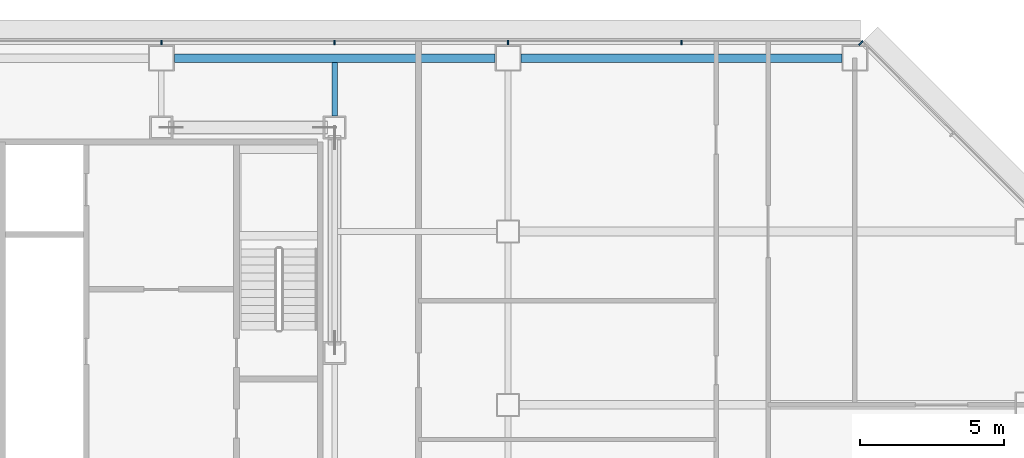
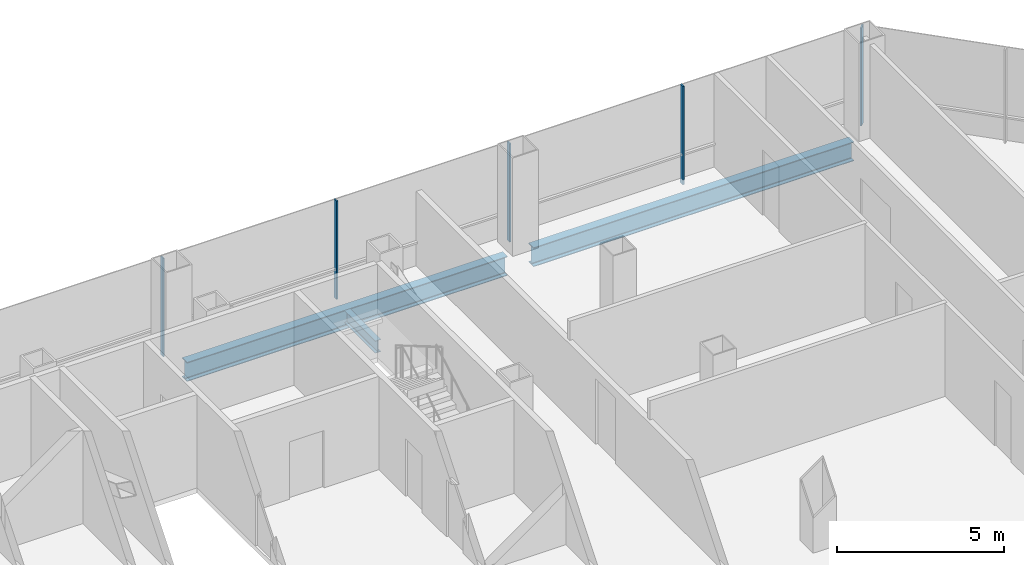
# One storey, part 15 of 27: 5 members, 3 beams, 2 elements without a shape of their own.
"""IFC4 building model written with IfcOpenShell, lengths in metres."""

from ifc_helpers import new_model, si_unit, direction, frame, origin, origin_2d, place, context, subcontext, project, spatial, rectangle, i_section, extrude, material, material_profile, profile_set, type_object, element, aggregate, save


model = new_model("IFC4")

# Units and contexts
model_context = context("Model", 3, precision=1e-05, world=origin(), true_north=direction((0.0, 1.0)))
body_context = subcontext(model_context, "Body", "Model", "MODEL_VIEW")
ifc_project = project(units=[si_unit("LENGTHUNIT", "METRE"), si_unit("AREAUNIT", "SQUARE_METRE"), si_unit("VOLUMEUNIT", "CUBIC_METRE"), si_unit("PLANEANGLEUNIT", "RADIAN"), si_unit("MASSUNIT", "GRAM", prefix="KILO")], contexts=[model_context])

# Site, building, storey
site_placement = place(None, origin())
site = spatial("IfcSite", under=ifc_project, at=site_placement, CompositionType="ELEMENT")
building_placement = place(site_placement, origin())
building = spatial("IfcBuilding", under=site, at=building_placement, Name="Sorahane Residences", CompositionType="ELEMENT")
storey_placement = place(building_placement, frame((0.0, 0.0, 53.39990234375)))
storey = spatial("IfcBuildingStorey", under=building, at=storey_placement, Name="L09", CompositionType="ELEMENT", Elevation=53.39990234375)

# Curtain wall, members
ifc_material_1 = material(Name="Dark low-e glass and black anodised aluminium", Category="aluminium")
curtain_wall_type_1 = type_object("IfcCurtainWallType", Name="Curtain wall CW-1 Typical unitised wall", PredefinedType="NOTDEFINED", material=ifc_material_1)
curtain_wall_1_placement = place(storey_placement, origin())
curtain_wall_1 = element("IfcCurtainWall", 1, at=curtain_wall_1_placement, inside=storey, type_object=curtain_wall_type_1, Name="CW-1 curtain wall L09 N1", PredefinedType="NOTDEFINED")
ifc_material_2 = material(Name="Black anodised aluminium", Category="aluminium")
ifc_material_profile_1 = material_profile(ifc_material_2, rectangle(XDim=0.159912109375, YDim=0.050048828125, at=origin_2d()), Name="Curtain wall mullion CW-1 black anodised aluminium 50x160")
ifc_profile_set_1 = profile_set([ifc_material_profile_1], Name="Black anodised aluminium")
member_type_1 = type_object("IfcMemberType", Name="Curtain wall mullion CW-1 black anodised aluminium 50x160", PredefinedType="MULLION", material=ifc_profile_set_1)
member_1_placement = place(storey_placement, frame((54.0, 48.5400390625, -0.179931640625), z_axis=(0.0, 0.0, 1.0), x_axis=(0.0, 1.0, 0.0)))
member_1 = element("IfcMember", 2, at=member_1_placement, type_object=member_type_1, Name="CW-1 mullion L09 N1.2", PredefinedType="MULLION", context=body_context, shape_type="SweptSolid", body=[
    extrude(rectangle(XDim=0.159912109375, YDim=0.050048828125, at=origin_2d()), origin(), (0.0, 0.0, 1.0), 3.60009765625),
])
member_2_placement = place(storey_placement, frame((48.0, 48.5400390625, -0.179931640625), z_axis=(0.0, 0.0, 1.0), x_axis=(0.0, 1.0, 0.0)))
member_2 = element("IfcMember", 3, at=member_2_placement, type_object=member_type_1, Name="CW-1 mullion L09 N1.3", PredefinedType="MULLION", context=body_context, shape_type="SweptSolid", body=[
    extrude(rectangle(XDim=0.159912109375, YDim=0.050048828125, at=origin_2d()), origin(), (0.0, 0.0, 1.0), 3.60009765625),
])
member_3_placement = place(storey_placement, frame((42.0, 48.5400390625, -0.179931640625), z_axis=(0.0, 0.0, 1.0), x_axis=(0.0, 1.0, 0.0)))
member_3 = element("IfcMember", 4, at=member_3_placement, type_object=member_type_1, Name="CW-1 mullion L09 N1.4", PredefinedType="MULLION", context=body_context, shape_type="SweptSolid", body=[
    extrude(rectangle(XDim=0.159912109375, YDim=0.050048828125, at=origin_2d()), origin(), (0.0, 0.0, 1.0), 3.60009765625),
])
member_4_placement = place(storey_placement, frame((36.0, 48.5400390625, -0.179931640625), z_axis=(0.0, 0.0, 1.0), x_axis=(0.0, 1.0, 0.0)))
member_4 = element("IfcMember", 5, at=member_4_placement, type_object=member_type_1, Name="CW-1 mullion L09 N1.5", PredefinedType="MULLION", context=body_context, shape_type="SweptSolid", body=[
    extrude(rectangle(XDim=0.159912109375, YDim=0.050048828125, at=origin_2d()), origin(), (0.0, 0.0, 1.0), 3.60009765625),
])
aggregate(curtain_wall_1, [member_1, member_2, member_3, member_4])

# Curtain wall, member
ifc_material_3 = material(Name="Dark low-e glass and black anodised aluminium", Category="aluminium")
curtain_wall_type_2 = type_object("IfcCurtainWallType", Name="Curtain wall CW-2 Chamfer unitised wall", PredefinedType="NOTDEFINED", material=ifc_material_3)
curtain_wall_2_placement = place(storey_placement, origin())
curtain_wall_2 = element("IfcCurtainWall", 6, at=curtain_wall_2_placement, inside=storey, type_object=curtain_wall_type_2, Name="CW-2 curtain wall L09 NE1", PredefinedType="NOTDEFINED")
ifc_material_4 = material(Name="Black anodised aluminium", Category="aluminium")
ifc_material_profile_2 = material_profile(ifc_material_4, rectangle(XDim=0.199951171875, YDim=0.050048828125, at=origin_2d()), Name="Curtain wall mullion CW-2 black anodised aluminium 50x200")
ifc_profile_set_2 = profile_set([ifc_material_profile_2], Name="Black anodised aluminium")
member_type_2 = type_object("IfcMemberType", Name="Curtain wall mullion CW-2 black anodised aluminium 50x200", PredefinedType="MULLION", material=ifc_profile_set_2)
member_5_placement = place(storey_placement, frame((60.209716796875, 48.525634765625, -0.179931640625), z_axis=(0.0, 0.0, 1.0), x_axis=(0.707106781187, 0.707106781187, 0.0)))
member_5 = element("IfcMember", 7, at=member_5_placement, type_object=member_type_2, Name="CW-2 mullion L09 NE1.3", PredefinedType="MULLION", context=body_context, shape_type="SweptSolid", body=[
    extrude(rectangle(XDim=0.199951171875, YDim=0.050048828125, at=origin_2d()), origin(), (0.0, 0.0, 1.0), 3.60009765625),
])
aggregate(curtain_wall_2, [member_5])

# Beams
ifc_material_5 = material(Name="Steel Q355B", Category="steel")
ifc_material_profile_3 = material_profile(ifc_material_5, i_section(OverallWidth=0.199951171875, OverallDepth=0.449951171875, WebThickness=0.009033203125, FlangeThickness=0.013916015625, FilletRadius=0.02001953125, at=origin_2d()), Name="HN 450x200x9x14")
ifc_profile_set_3 = profile_set([ifc_material_profile_3], Name="Steel Q355B")
beam_type_1 = type_object("IfcBeamType", Name="Steel floor beam HN 450x200x9x14 Q355B", PredefinedType="BEAM", material=ifc_profile_set_3)
beam_placement = place(storey_placement, frame((42.0, 46.0, -0.40478515625), z_axis=(0.0, 1.0, 0.0), x_axis=(-1.0, 0.0, 0.0)))
element("IfcBeam", 8, at=beam_placement, inside=storey, type_object=beam_type_1, Name="Beam L09 050", PredefinedType="BEAM", context=body_context, shape_type="SweptSolid", body=[
    extrude(i_section(OverallWidth=0.199951171875, OverallDepth=0.449951171875, WebThickness=0.009033203125, FlangeThickness=0.013916015625, FilletRadius=0.02001953125, at=origin_2d()), origin(), (0.0, 0.0, 1.0), 1.85009765625),
])
ifc_material_6 = material(Name="Steel Q355B", Category="steel")
ifc_material_profile_4 = material_profile(ifc_material_6, i_section(OverallWidth=0.300048828125, OverallDepth=0.699951171875, WebThickness=0.012939453125, FlangeThickness=0.02392578125, FilletRadius=0.028076171875, at=origin_2d()), Name="HN 700x300x13x24")
ifc_profile_set_4 = profile_set([ifc_material_profile_4], Name="Steel Q355B")
beam_type_2 = type_object("IfcBeamType", Name="Steel floor beam HN 700x300x13x24 Q355B", PredefinedType="BEAM", material=ifc_profile_set_4)
for number, where, z_axis, x_axis, name in (
    (9, (36.449951171875, 48.0, -0.52978515625), (1.0, 0.0, 0.0), (0.0, 1.0, 0.0), "Beam L09 015"),
    (10, (48.449951171875, 48.0, -0.52978515625), (1.0, 0.0, 0.0), (0.0, 1.0, 0.0), "Beam L09 016"),
):
    element("IfcBeam", number, at=place(storey_placement, frame(where, z_axis=z_axis, x_axis=x_axis)), inside=storey, type_object=beam_type_2, Name=name, PredefinedType="BEAM", context=body_context, shape_type="SweptSolid", body=[
        extrude(i_section(OverallWidth=0.300048828125, OverallDepth=0.699951171875, WebThickness=0.012939453125, FlangeThickness=0.02392578125, FilletRadius=0.028076171875, at=origin_2d()), origin(), (0.0, 0.0, 1.0), 11.10009765625),
    ])

save(model, "model.ifc")
